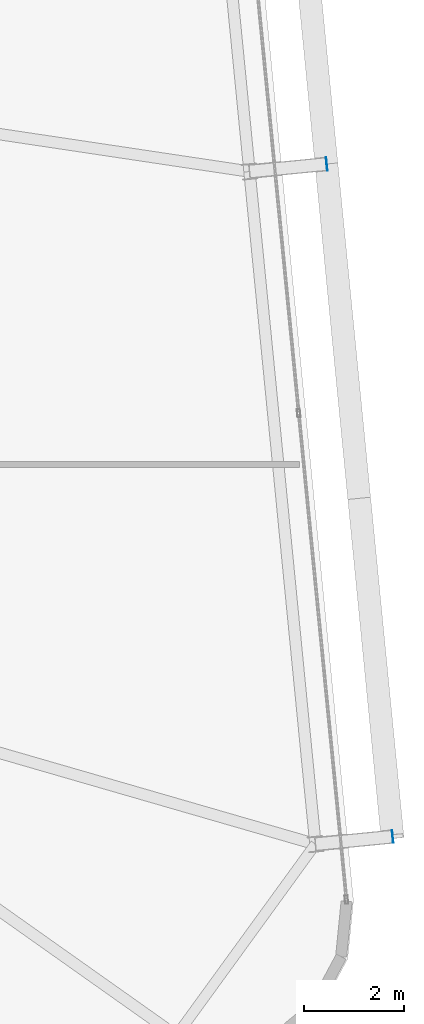
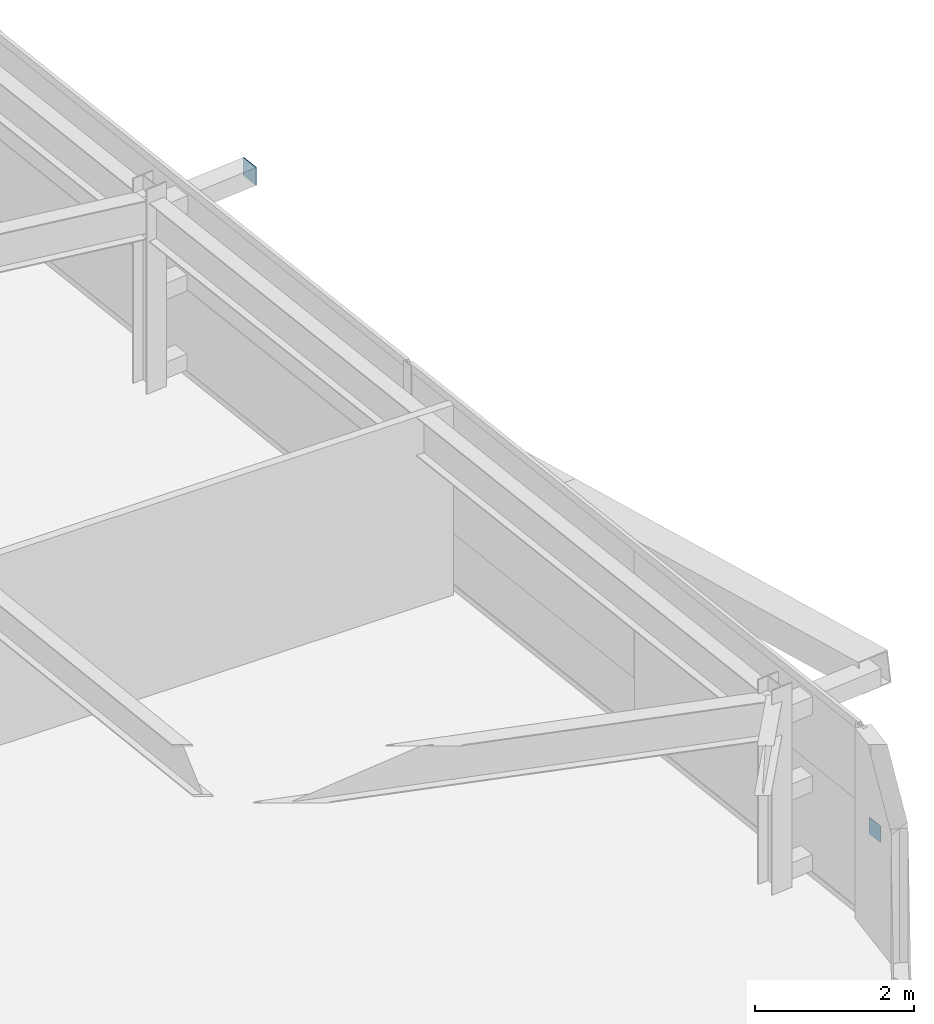
# One storey, part 37 of 47: 2 plates.
"""IFC4 building model written with IfcOpenShell, lengths in metres."""

from ifc_helpers import new_model, si_unit, direction, frame, origin, origin_2d, place, context, subcontext, project, spatial, rectangle, extrude, source, transform, mapped, material, layer, layer_set, type_object, element, save


model = new_model("IFC4")

# Units and contexts
model_context = context("Model", 3, precision=1e-05, world=origin(), true_north=direction((0.0, 1.0)))
body_context = subcontext(model_context, "Body", "Model", "MODEL_VIEW")
ifc_project = project(units=[si_unit("LENGTHUNIT", "METRE"), si_unit("AREAUNIT", "SQUARE_METRE"), si_unit("VOLUMEUNIT", "CUBIC_METRE"), si_unit("PLANEANGLEUNIT", "RADIAN"), si_unit("MASSUNIT", "GRAM", prefix="KILO")], contexts=[model_context])

# Site, building, storey
site_placement = place(None, origin())
site = spatial("IfcSite", under=ifc_project, at=site_placement, CompositionType="ELEMENT")
building_placement = place(site_placement, origin())
building = spatial("IfcBuilding", under=site, at=building_placement, Name="Taldren Reach Tower", CompositionType="ELEMENT")
storey_placement = place(building_placement, frame((0.0, 0.0, 90.300048828125)))
storey = spatial("IfcBuildingStorey", under=building, at=storey_placement, Name="L27", CompositionType="ELEMENT", Elevation=90.300048828125)

# Plates
ifc_material_1 = material(Name="Steel Gr 450 (C450L0)", Category="steel")
ifc_layer_1 = layer(ifc_material_1, 0.011962890625)
ifc_layer_set_1 = layer_set([ifc_layer_1], Name="Steel Gr 450 (C450L0)")
plate_type_1 = type_object("IfcPlateType", Name="PL-CAP-275", PredefinedType="SHEET", material=ifc_layer_set_1)
shared_shape_1 = source(origin(), body_context, "Body", "SweptSolid", [
    extrude(rectangle(XDim=0.011962890625, YDim=0.27490234375, at=origin_2d()), origin(), (0.0, 0.0, 1.0), 0.27490234375),
])
plate_1_placement = place(storey_placement, frame((66.1181640625, 22.120849609375, 2.512451171875), z_axis=(0.0, 0.0, 1.0), x_axis=(0.995227399982, 0.097582899759, 0.0)))
element("IfcPlate", 1, at=plate_1_placement, inside=storey, type_object=plate_type_1, Name="Tie strut end cap plate B2-E2 L27", PredefinedType="SHEET", context=body_context, shape_type="MappedRepresentation", body=[
    mapped(shared_shape_1, transform((0.0, 0.0, 0.0), scale=1.0)),
])
ifc_material_2 = material(Name="Steel Gr 350 (C350L0)", Category="steel")
ifc_layer_2 = layer(ifc_material_2, 0.011962890625)
ifc_layer_set_2 = layer_set([ifc_layer_2], Name="Steel Gr 350 (C350L0)")
plate_type_2 = type_object("IfcPlateType", Name="PL-CAP-250", PredefinedType="SHEET", material=ifc_layer_set_2)
shared_shape_2 = source(origin(), body_context, "Body", "SweptSolid", [
    extrude(rectangle(XDim=0.011962890625, YDim=0.25, at=origin_2d()), origin(), (0.0, 0.0, 1.0), 0.25),
])
plate_2_placement = place(storey_placement, frame((67.440185546875, 8.635498046875, 0.094970703125), z_axis=(0.0, 0.0, 1.0), x_axis=(0.995227399982, 0.097582899759, 0.0)))
element("IfcPlate", 2, at=plate_2_placement, inside=storey, type_object=plate_type_2, Name="Tie strut end cap plate B2-E1 L27", PredefinedType="SHEET", context=body_context, shape_type="MappedRepresentation", body=[
    mapped(shared_shape_2, transform((0.0, 0.0, 0.0), scale=1.0)),
])

save(model, "model.ifc")
